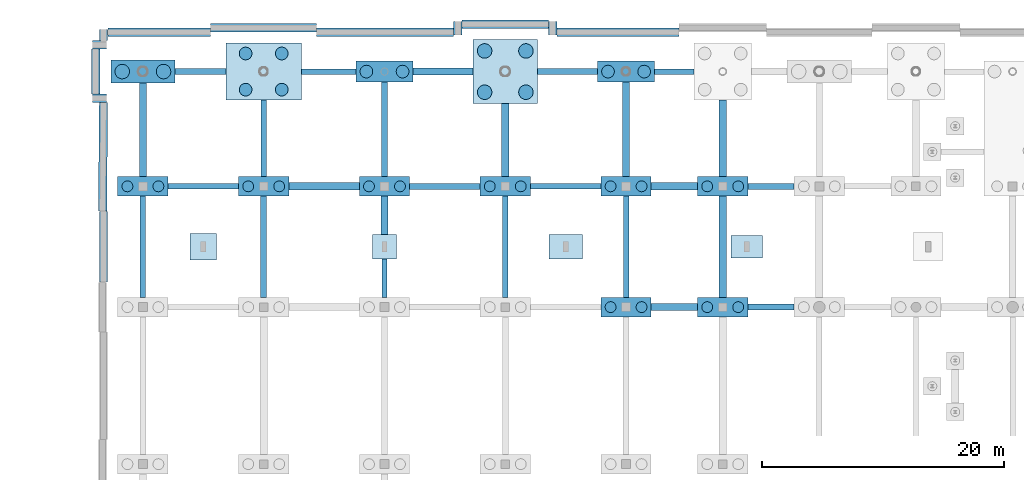
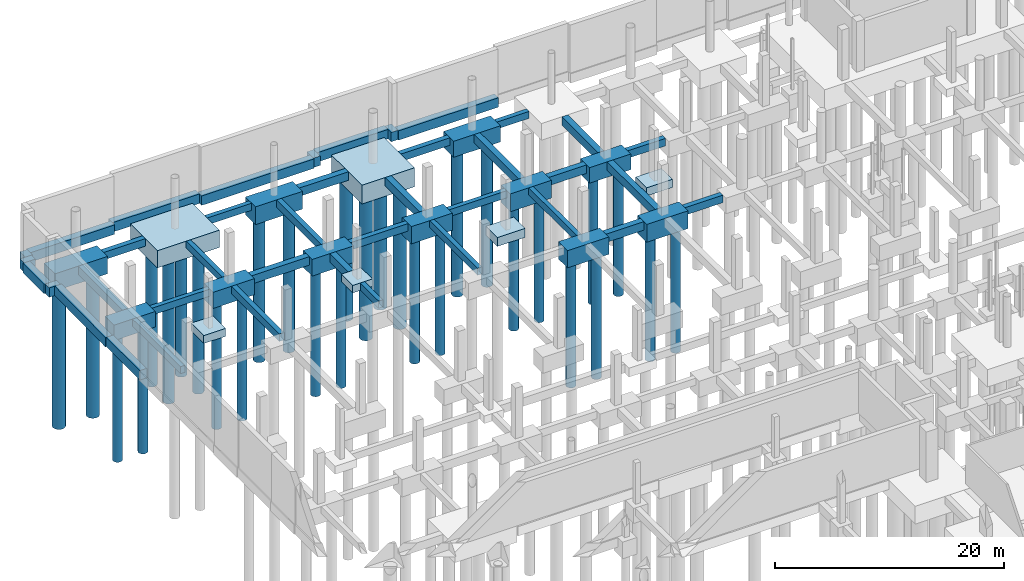
# One storey, part 13 of 65: 56 footings, 30 piles.
"""IFC4 building model written with IfcOpenShell, lengths in metres."""

import ifcopenshell
import ifcopenshell.guid

model = None  # the IFC model being written
_history = None  # IfcOwnerHistory: only IFC2X3 demands one
_inside = {}  # id of a spatial element -> (the spatial element, [elements in it])
_under = {}  # id of a project, library or spatial element -> (it, [spatial elements below it])
_declared = {}  # id of a project -> (the project, [libraries it declares])
_typed = {}  # id of a type object -> (the type object, [elements of that type])
_made_of = {}  # id of a material, layer set ... -> (it, [elements and type objects made of it])


def new_model(schema):
    """Start an empty IFC model of exactly this schema.

    Asked for "IFC4X3", IfcOpenShell would pick the latest addendum, in which some entities
    have other attributes; the version numbers below select the first issue.
    IFC2X3 requires an IfcOwnerHistory on every rooted entity: one is made here for all.
    """
    global model, _history
    if schema == "IFC4X3":
        model = ifcopenshell.file(schema_version=(4, 3, 0, 0))
    else:
        model = ifcopenshell.file(schema=schema)
    _inside.clear()
    _under.clear()
    _declared.clear()
    _typed.clear()
    _made_of.clear()
    _history = None
    if model.schema == "IFC2X3":
        org = make("IfcOrganization", Name="unknown")
        user = make(
            "IfcPersonAndOrganization",
            ThePerson=make("IfcPerson", FamilyName="unknown"),
            TheOrganization=org,
        )
        app = make(
            "IfcApplication",
            ApplicationDeveloper=org,
            Version="unknown",
            ApplicationFullName="unknown",
            ApplicationIdentifier="unknown",
        )
        _history = make(
            "IfcOwnerHistory",
            OwningUser=user,
            OwningApplication=app,
            ChangeAction="ADDED",
            CreationDate=0,
        )
    return model


def make(cls, **values):
    """One entity of the class cls with the attributes given. An attribute that is None is left unset."""
    return model.create_entity(
        cls, **{name: value for name, value in values.items() if value is not None}
    )


def rooted(cls, **values):
    """An entity with a GlobalId (a new one), such as an element, a storey or a relation."""
    return make(cls, GlobalId=ifcopenshell.guid.new(), OwnerHistory=_history, **values)


def si_unit(unit_type, name, prefix=None):
    """IfcSIUnit, for example si_unit("LENGTHUNIT", "METRE", prefix="MILLI")."""
    return make("IfcSIUnit", UnitType=unit_type, Prefix=prefix, Name=name)


def assignment(units):
    """IfcUnitAssignment: the units of a project."""
    return None if units is None else make("IfcUnitAssignment", Units=units)


def point(xyz):
    """IfcCartesianPoint."""
    return None if xyz is None else make("IfcCartesianPoint", Coordinates=xyz)


def direction(xyz):
    """IfcDirection."""
    return None if xyz is None else make("IfcDirection", DirectionRatios=xyz)


def frame(location, z_axis=None, x_axis=None):
    """IfcAxis2Placement3D, a coordinate frame: its origin and axes. An axis left out is left unset."""
    return make(
        "IfcAxis2Placement3D",
        Location=point(location),
        Axis=direction(z_axis),
        RefDirection=direction(x_axis),
    )


def frame_2d(location, x_axis=None):
    """IfcAxis2Placement2D, a coordinate frame in the plane: its origin and x axis."""
    return make(
        "IfcAxis2Placement2D", Location=point(location), RefDirection=direction(x_axis)
    )


def origin():
    """The frame at (0, 0, 0) with its axes left unset."""
    return frame((0.0, 0.0, 0.0))


def origin_2d():
    """The frame at (0, 0) in the plane with its x axis left unset."""
    return frame_2d((0.0, 0.0))


def place(relative_to, where):
    """IfcLocalPlacement: puts the frame where relative to a parent placement (None: the world)."""
    return make(
        "IfcLocalPlacement", PlacementRelTo=relative_to, RelativePlacement=where
    )


def context(
    kind, dimensions, precision=None, world=None, true_north=None, identifier=None
):
    """IfcGeometricRepresentationContext, for example the 3D "Model" context."""
    return make(
        "IfcGeometricRepresentationContext",
        ContextIdentifier=identifier,
        ContextType=kind,
        CoordinateSpaceDimension=dimensions,
        Precision=precision,
        WorldCoordinateSystem=world,
        TrueNorth=true_north,
    )


def subcontext(parent, identifier, kind, view, scale=None):
    """IfcGeometricRepresentationSubContext, for example "Body" below "Model"."""
    return make(
        "IfcGeometricRepresentationSubContext",
        ContextIdentifier=identifier,
        ContextType=kind,
        ParentContext=parent,
        TargetScale=scale,
        TargetView=view,
    )


def project(units=None, contexts=None):
    """IfcProject with its units and contexts."""
    return rooted(
        "IfcProject",
        Name="project",
        RepresentationContexts=contexts,
        UnitsInContext=assignment(units),
    )


def spatial(cls, under=None, at=None, **own):
    """A site, building, storey or space (cls), placed at a placement, below another one or the project."""
    s = rooted(cls, ObjectPlacement=at, **own)
    if under is not None:
        _under.setdefault(under.id(), (under, []))[1].append(s)
    return s


def profile(cls, at=None, kind="AREA", **sizes):
    """A parametric profile (cls). Its sizes go by their IFC names, for example OverallWidth=200.0."""
    return make(cls, ProfileType=kind, Position=at, **sizes)


def rectangle(**sizes):
    """IfcRectangleProfileDef."""
    return profile("IfcRectangleProfileDef", **sizes)


def circle(**sizes):
    """IfcCircleProfileDef."""
    return profile("IfcCircleProfileDef", **sizes)


def extrude(swept, where, along, depth):
    """IfcExtrudedAreaSolid: the profile swept, set in the frame where, extruded along a direction by depth."""
    return make(
        "IfcExtrudedAreaSolid",
        SweptArea=swept,
        Position=where,
        ExtrudedDirection=direction(along),
        Depth=depth,
    )


def shape(context_of_items, identifier, shape_type, items):
    """IfcShapeRepresentation: the items that make up one representation, for example the "Body"."""
    return make(
        "IfcShapeRepresentation",
        ContextOfItems=context_of_items,
        RepresentationIdentifier=identifier,
        RepresentationType=shape_type,
        Items=items,
    )


def material(Name=None, Category=None):
    """IfcMaterial."""
    return make("IfcMaterial", Name=Name, Category=Category)


def material_profile(
    of_material, cross_section, Name=None, Category=None, Priority=None
):
    """IfcMaterialProfile: a cross section and its material."""
    return make(
        "IfcMaterialProfile",
        Name=Name,
        Material=of_material,
        Profile=cross_section,
        Priority=Priority,
        Category=Category,
    )


def profile_set(profiles, Name=None, composite=None):
    """IfcMaterialProfileSet."""
    return make(
        "IfcMaterialProfileSet",
        Name=Name,
        MaterialProfiles=profiles,
        CompositeProfile=composite,
    )


def made_of(thing, what):
    """Note that an element or type object is made of a material, layer set ...; save() writes the relation."""
    if what is not None:
        _made_of.setdefault(what.id(), (what, []))[1].append(thing)
    return thing


def type_object(cls, material=None, **own):
    """A type object (cls), such as IfcWallType, which elements share."""
    return made_of(rooted(cls, **own), material)


def element(
    cls,
    number,
    at=None,
    inside=None,
    cuts=None,
    type_object=None,
    material=None,
    context=None,
    identifier="Body",
    shape_type=None,
    held_by="IfcProductDefinitionShape",
    body=None,
    shapes=None,
    **own,
):
    """One element of the class cls, such as IfcWall. Its Tag is "e" and its number.

    at: its placement. inside: the storey or other place that contains it. cuts: it is an
    opening in that element (IfcRelVoidsElement). A single representation is given by context,
    identifier, shape_type and body (its items); several are given by shapes. held_by: the class
    of the entity that holds the representations. save() writes the other relations.
    """
    e = rooted(cls, Tag="e%d" % number, ObjectPlacement=at, **own)
    if body is not None:
        shapes = [shape(context, identifier, shape_type, body)]
    if shapes is not None:
        e.Representation = make(held_by, Representations=shapes)
    if inside is not None:
        _inside.setdefault(inside.id(), (inside, []))[1].append(e)
    if cuts is not None:
        rooted(
            "IfcRelVoidsElement", RelatingBuildingElement=cuts, RelatedOpeningElement=e
        )
    if type_object is not None:
        _typed.setdefault(type_object.id(), (type_object, []))[1].append(e)
    return made_of(e, material)


def aggregate(whole, parts):
    """IfcRelAggregates: a whole, such as a stair, and the parts it consists of."""
    return rooted("IfcRelAggregates", RelatingObject=whole, RelatedObjects=parts)


def save(model, path):
    """Write the relations noted so far, then the file.

    IfcRelAggregates (storeys below a building ...), IfcRelContainedInSpatialStructure (elements
    in a storey), IfcRelDefinesByType, IfcRelAssociatesMaterial and IfcRelDeclares: one each for
    every whole, place, type object, material and project.
    """
    for whole, parts in _under.values():
        aggregate(whole, parts)
    for where, things in _inside.values():
        rooted(
            "IfcRelContainedInSpatialStructure",
            RelatedElements=things,
            RelatingStructure=where,
        )
    for kind, things in _typed.values():
        rooted("IfcRelDefinesByType", RelatedObjects=things, RelatingType=kind)
    for what, things in _made_of.values():
        rooted("IfcRelAssociatesMaterial", RelatedObjects=things, RelatingMaterial=what)
    for by, libraries in _declared.values():
        rooted("IfcRelDeclares", RelatingContext=by, RelatedDefinitions=libraries)
    model.write(path)


model = new_model("IFC4")

# Units and contexts
model_context = context("Model", 3, precision=1e-05, world=origin(), true_north=direction((0.0, 1.0)))
body_context = subcontext(model_context, "Body", "Model", "MODEL_VIEW")
ifc_project = project(units=[si_unit("LENGTHUNIT", "METRE"), si_unit("AREAUNIT", "SQUARE_METRE"), si_unit("VOLUMEUNIT", "CUBIC_METRE"), si_unit("PLANEANGLEUNIT", "RADIAN"), si_unit("MASSUNIT", "GRAM", prefix="KILO")], contexts=[model_context])

# Site, building, storey
site_placement = place(None, origin())
site = spatial("IfcSite", under=ifc_project, at=site_placement, CompositionType="ELEMENT")
building_placement = place(site_placement, origin())
building = spatial("IfcBuilding", under=site, at=building_placement, Name="Khorjan Park Terminus", CompositionType="ELEMENT")
storey_placement = place(building_placement, frame((0.0, 0.0, -5.4)))
storey = spatial("IfcBuildingStorey", under=building, at=storey_placement, Name="B1", CompositionType="ELEMENT", Elevation=-5.4)

# Footings
ifc_material = material(Name="Concrete C40/50", Category="concrete")
ifc_material_profile_1 = material_profile(ifc_material, rectangle(XDim=0.45, YDim=0.75, at=origin_2d()), Name="RC 450x750")
ifc_profile_set_1 = profile_set([ifc_material_profile_1], Name="Concrete C40/50")
footing_type_1 = type_object("IfcFootingType", Name="FTG-GB-450x750", PredefinedType="FOOTING_BEAM", material=ifc_profile_set_1)
footing_1_placement = place(storey_placement, frame((2.083, 144.5, -0.375), z_axis=(1.0, 0.0, 0.0), x_axis=(0.0, 1.0, 0.0)))
element("IfcFooting", 1, at=footing_1_placement, inside=storey, type_object=footing_type_1, Name="Reinforced concrete ground tie beam FB-07 (152)", PredefinedType="FOOTING_BEAM", context=body_context, shape_type="SweptSolid", body=[
    extrude(rectangle(XDim=0.45, YDim=0.75, at=origin_2d()), origin(), (0.0, 0.0, 1.0), 5.835),
])
footing_2_placement = place(storey_placement, frame((32.083, 144.5, -0.375), z_axis=(1.0, 0.0, 0.0), x_axis=(0.0, 1.0, 0.0)))
element("IfcFooting", 2, at=footing_2_placement, inside=storey, type_object=footing_type_1, Name="Reinforced concrete ground tie beam FB-07 (155)", PredefinedType="FOOTING_BEAM", context=body_context, shape_type="SweptSolid", body=[
    extrude(rectangle(XDim=0.45, YDim=0.75, at=origin_2d()), origin(), (0.0, 0.0, 1.0), 5.834),
])
footing_3_placement = place(storey_placement, frame((13.13, 154.0, -0.375), z_axis=(1.0, 0.0, 0.0), x_axis=(0.0, 1.0, 0.0)))
element("IfcFooting", 3, at=footing_3_placement, inside=storey, type_object=footing_type_1, Name="Reinforced concrete ground tie beam FB-07 (167)", PredefinedType="FOOTING_BEAM", context=body_context, shape_type="SweptSolid", body=[
    extrude(rectangle(XDim=0.45, YDim=0.75, at=origin_2d()), origin(), (0.0, 0.0, 1.0), 4.498),
])
footing_4_placement = place(storey_placement, frame((42.371, 154.0, -0.375), z_axis=(1.0, 0.0, 0.0), x_axis=(0.0, 1.0, 0.0)))
element("IfcFooting", 4, at=footing_4_placement, inside=storey, type_object=footing_type_1, Name="Reinforced concrete ground tie beam FB-07 (170)", PredefinedType="FOOTING_BEAM", context=body_context, shape_type="SweptSolid", body=[
    extrude(rectangle(XDim=0.45, YDim=0.75, at=origin_2d()), origin(), (0.0, 0.0, 1.0), 3.258),
])
footing_5_placement = place(storey_placement, frame((0.0, 135.3, -0.375), z_axis=(0.0, 1.0, 0.0), x_axis=(-1.0, 0.0, 0.0)))
element("IfcFooting", 5, at=footing_5_placement, inside=storey, type_object=footing_type_1, Name="Reinforced concrete ground tie beam FB-07 (185)", PredefinedType="FOOTING_BEAM", context=body_context, shape_type="SweptSolid", body=[
    extrude(rectangle(XDim=0.45, YDim=0.75, at=origin_2d()), origin(), (0.0, 0.0, 1.0), 8.4),
])
footing_6_placement = place(storey_placement, frame((10.0, 145.3, -0.375), z_axis=(0.0, 1.0, 0.0), x_axis=(-1.0, 0.0, 0.0)))
element("IfcFooting", 6, at=footing_6_placement, inside=storey, type_object=footing_type_1, Name="Reinforced concrete ground tie beam FB-07 (194)", PredefinedType="FOOTING_BEAM", context=body_context, shape_type="SweptSolid", body=[
    extrude(rectangle(XDim=0.45, YDim=0.75, at=origin_2d()), origin(), (0.0, 0.0, 1.0), 6.329),
])
footing_7_placement = place(storey_placement, frame((20.0, 135.3, -0.375), z_axis=(0.0, 1.0, 0.0), x_axis=(-1.0, 0.0, 0.0)))
element("IfcFooting", 7, at=footing_7_placement, inside=storey, type_object=footing_type_1, Name="Reinforced concrete ground tie beam FB-07 (200)", PredefinedType="FOOTING_BEAM", context=body_context, shape_type="SweptSolid", body=[
    extrude(rectangle(XDim=0.45, YDim=0.75, at=origin_2d()), origin(), (0.0, 0.0, 1.0), 3.2),
])
for number, where, z_axis, x_axis, name in (
    (8, (30.0, 135.3, -0.375), (0.0, 1.0, 0.0), (-1.0, 0.0, 0.0), "Reinforced concrete ground tie beam FB-07 (209)"),
    (9, (40.0, 135.3, -0.375), (0.0, 1.0, 0.0), (-1.0, 0.0, 0.0), "Reinforced concrete ground tie beam FB-07 (218)"),
):
    element("IfcFooting", number, at=place(storey_placement, frame(where, z_axis=z_axis, x_axis=x_axis)), inside=storey, type_object=footing_type_1, Name=name, PredefinedType="FOOTING_BEAM", context=body_context, shape_type="SweptSolid", body=[
        extrude(rectangle(XDim=0.45, YDim=0.75, at=origin_2d()), origin(), (0.0, 0.0, 1.0), 8.4),
    ])
ifc_material_profile_2 = material_profile(ifc_material, rectangle(XDim=0.5, YDim=0.8, at=origin_2d()), Name="RC 500x800")
ifc_profile_set_2 = profile_set([ifc_material_profile_2], Name="Concrete C40/50")
footing_type_2 = type_object("IfcFootingType", Name="FTG-GB-500x800", PredefinedType="FOOTING_BEAM", material=ifc_profile_set_2)
footing_8_placement = place(storey_placement, frame((50.083, 134.5, -0.4), z_axis=(1.0, 0.0, 0.0), x_axis=(0.0, 1.0, 0.0)))
element("IfcFooting", 10, at=footing_8_placement, inside=storey, type_object=footing_type_2, Name="Reinforced concrete ground tie beam FB-08 (139)", PredefinedType="FOOTING_BEAM", context=body_context, shape_type="SweptSolid", body=[
    extrude(rectangle(XDim=0.5, YDim=0.8, at=origin_2d()), origin(), (0.0, 0.0, 1.0), 3.834),
])
footing_9_placement = place(storey_placement, frame((22.082, 144.5, -0.4), z_axis=(1.0, 0.0, 0.0), x_axis=(0.0, 1.0, 0.0)))
element("IfcFooting", 11, at=footing_9_placement, inside=storey, type_object=footing_type_2, Name="Reinforced concrete ground tie beam FB-08 (154)", PredefinedType="FOOTING_BEAM", context=body_context, shape_type="SweptSolid", body=[
    extrude(rectangle(XDim=0.5, YDim=0.8, at=origin_2d()), origin(), (0.0, 0.0, 1.0), 5.836),
])
footing_10_placement = place(storey_placement, frame((50.083, 144.5, -0.4), z_axis=(1.0, 0.0, 0.0), x_axis=(0.0, 1.0, 0.0)))
element("IfcFooting", 12, at=footing_10_placement, inside=storey, type_object=footing_type_2, Name="Reinforced concrete ground tie beam FB-08 (157)", PredefinedType="FOOTING_BEAM", context=body_context, shape_type="SweptSolid", body=[
    extrude(rectangle(XDim=0.5, YDim=0.8, at=origin_2d()), origin(), (0.0, 0.0, 1.0), 3.834),
])
footing_11_placement = place(storey_placement, frame((2.66, 154.0, -0.4), z_axis=(1.0, 0.0, 0.0), x_axis=(0.0, 1.0, 0.0)))
element("IfcFooting", 13, at=footing_11_placement, inside=storey, type_object=footing_type_2, Name="Reinforced concrete ground tie beam FB-08 (166)", PredefinedType="FOOTING_BEAM", context=body_context, shape_type="SweptSolid", body=[
    extrude(rectangle(XDim=0.5, YDim=0.8, at=origin_2d()), origin(), (0.0, 0.0, 1.0), 4.21),
])
footing_12_placement = place(storey_placement, frame((32.66, 154.0, -0.4), z_axis=(1.0, 0.0, 0.0), x_axis=(0.0, 1.0, 0.0)))
element("IfcFooting", 14, at=footing_12_placement, inside=storey, type_object=footing_type_2, Name="Reinforced concrete ground tie beam FB-08 (169)", PredefinedType="FOOTING_BEAM", context=body_context, shape_type="SweptSolid", body=[
    extrude(rectangle(XDim=0.5, YDim=0.8, at=origin_2d()), origin(), (0.0, 0.0, 1.0), 4.969),
])
footing_13_placement = place(storey_placement, frame((10.0, 135.3, -0.4), z_axis=(0.0, 1.0, 0.0), x_axis=(-1.0, 0.0, 0.0)))
element("IfcFooting", 15, at=footing_13_placement, inside=storey, type_object=footing_type_2, Name="Reinforced concrete ground tie beam FB-08 (193)", PredefinedType="FOOTING_BEAM", context=body_context, shape_type="SweptSolid", body=[
    extrude(rectangle(XDim=0.5, YDim=0.8, at=origin_2d()), origin(), (0.0, 0.0, 1.0), 8.4),
])
footing_14_placement = place(storey_placement, frame((20.0, 145.3, -0.4), z_axis=(0.0, 1.0, 0.0), x_axis=(-1.0, 0.0, 0.0)))
element("IfcFooting", 16, at=footing_14_placement, inside=storey, type_object=footing_type_2, Name="Reinforced concrete ground tie beam FB-08 (202)", PredefinedType="FOOTING_BEAM", context=body_context, shape_type="SweptSolid", body=[
    extrude(rectangle(XDim=0.5, YDim=0.8, at=origin_2d()), origin(), (0.0, 0.0, 1.0), 7.825),
])
ifc_material_profile_3 = material_profile(ifc_material, rectangle(XDim=0.6, YDim=0.9, at=origin_2d()), Name="RC 600x900")
ifc_profile_set_3 = profile_set([ifc_material_profile_3], Name="Concrete C40/50")
footing_type_3 = type_object("IfcFootingType", Name="FTG-GB-600x900", PredefinedType="FOOTING_BEAM", material=ifc_profile_set_3)
footing_15_placement = place(storey_placement, frame((42.083, 134.5, -0.45), z_axis=(1.0, 0.0, 0.0), x_axis=(0.0, 1.0, 0.0)))
element("IfcFooting", 17, at=footing_15_placement, inside=storey, type_object=footing_type_3, Name="Reinforced concrete ground tie beam FB-09 (138)", PredefinedType="FOOTING_BEAM", context=body_context, shape_type="SweptSolid", body=[
    extrude(rectangle(XDim=0.6, YDim=0.9, at=origin_2d()), origin(), (0.0, 0.0, 1.0), 3.834),
])
footing_16_placement = place(storey_placement, frame((12.082, 144.5, -0.45), z_axis=(1.0, 0.0, 0.0), x_axis=(0.0, 1.0, 0.0)))
element("IfcFooting", 18, at=footing_16_placement, inside=storey, type_object=footing_type_3, Name="Reinforced concrete ground tie beam FB-09 (153)", PredefinedType="FOOTING_BEAM", context=body_context, shape_type="SweptSolid", body=[
    extrude(rectangle(XDim=0.6, YDim=0.9, at=origin_2d()), origin(), (0.0, 0.0, 1.0), 5.836),
])
footing_17_placement = place(storey_placement, frame((42.083, 144.5, -0.45), z_axis=(1.0, 0.0, 0.0), x_axis=(0.0, 1.0, 0.0)))
element("IfcFooting", 19, at=footing_17_placement, inside=storey, type_object=footing_type_3, Name="Reinforced concrete ground tie beam FB-09 (156)", PredefinedType="FOOTING_BEAM", context=body_context, shape_type="SweptSolid", body=[
    extrude(rectangle(XDim=0.6, YDim=0.9, at=origin_2d()), origin(), (0.0, 0.0, 1.0), 3.834),
])
footing_18_placement = place(storey_placement, frame((22.372, 154.0, -0.45), z_axis=(1.0, 0.0, 0.0), x_axis=(0.0, 1.0, 0.0)))
element("IfcFooting", 20, at=footing_18_placement, inside=storey, type_object=footing_type_3, Name="Reinforced concrete ground tie beam FB-09 (168)", PredefinedType="FOOTING_BEAM", context=body_context, shape_type="SweptSolid", body=[
    extrude(rectangle(XDim=0.6, YDim=0.9, at=origin_2d()), origin(), (0.0, 0.0, 1.0), 4.968),
])
footing_19_placement = place(storey_placement, frame((0.0, 145.3, -0.45), z_axis=(0.0, 1.0, 0.0), x_axis=(-1.0, 0.0, 0.0)))
element("IfcFooting", 21, at=footing_19_placement, inside=storey, type_object=footing_type_3, Name="Reinforced concrete ground tie beam FB-09 (186)", PredefinedType="FOOTING_BEAM", context=body_context, shape_type="SweptSolid", body=[
    extrude(rectangle(XDim=0.6, YDim=0.9, at=origin_2d()), origin(), (0.0, 0.0, 1.0), 7.75),
])
footing_20_placement = place(storey_placement, frame((20.0, 140.5, -0.45), z_axis=(0.0, 1.0, 0.0), x_axis=(-1.0, 0.0, 0.0)))
element("IfcFooting", 22, at=footing_20_placement, inside=storey, type_object=footing_type_3, Name="Reinforced concrete ground tie beam FB-09 (201)", PredefinedType="FOOTING_BEAM", context=body_context, shape_type="SweptSolid", body=[
    extrude(rectangle(XDim=0.6, YDim=0.9, at=origin_2d()), origin(), (0.0, 0.0, 1.0), 3.2),
])
footing_21_placement = place(storey_placement, frame((30.0, 145.3, -0.45), z_axis=(0.0, 1.0, 0.0), x_axis=(-1.0, 0.0, 0.0)))
element("IfcFooting", 23, at=footing_21_placement, inside=storey, type_object=footing_type_3, Name="Reinforced concrete ground tie beam FB-09 (210)", PredefinedType="FOOTING_BEAM", context=body_context, shape_type="SweptSolid", body=[
    extrude(rectangle(XDim=0.6, YDim=0.9, at=origin_2d()), origin(), (0.0, 0.0, 1.0), 6.04),
])
footing_22_placement = place(storey_placement, frame((40.0, 145.3, -0.45), z_axis=(0.0, 1.0, 0.0), x_axis=(-1.0, 0.0, 0.0)))
element("IfcFooting", 24, at=footing_22_placement, inside=storey, type_object=footing_type_3, Name="Reinforced concrete ground tie beam FB-09 (219)", PredefinedType="FOOTING_BEAM", context=body_context, shape_type="SweptSolid", body=[
    extrude(rectangle(XDim=0.6, YDim=0.9, at=origin_2d()), origin(), (0.0, 0.0, 1.0), 7.825),
])
footing_23_placement = place(storey_placement, frame((48.0, 135.3, -0.45), z_axis=(0.0, 1.0, 0.0), x_axis=(-1.0, 0.0, 0.0)))
element("IfcFooting", 25, at=footing_23_placement, inside=storey, type_object=footing_type_3, Name="Reinforced concrete ground tie beam FB-09 (233)", PredefinedType="FOOTING_BEAM", context=body_context, shape_type="SweptSolid", body=[
    extrude(rectangle(XDim=0.6, YDim=0.9, at=origin_2d()), origin(), (0.0, 0.0, 1.0), 8.4),
])
footing_24_placement = place(storey_placement, frame((48.0, 145.3, -0.45), z_axis=(0.0, 1.0, 0.0), x_axis=(-1.0, 0.0, 0.0)))
element("IfcFooting", 26, at=footing_24_placement, inside=storey, type_object=footing_type_3, Name="Reinforced concrete ground tie beam FB-09 (234)", PredefinedType="FOOTING_BEAM", context=body_context, shape_type="SweptSolid", body=[
    extrude(rectangle(XDim=0.6, YDim=0.9, at=origin_2d()), origin(), (0.0, 0.0, 1.0), 6.329),
])
footing_type_4 = type_object("IfcFootingType", Name="FTG-PAD-2000", PredefinedType="PAD_FOOTING", material=ifc_material)
footing_25_placement = place(storey_placement, frame((20.0, 139.5, -0.8), z_axis=(0.0, 0.0, 1.0), x_axis=(1.0, 0.0, 0.0)))
element("IfcFooting", 27, at=footing_25_placement, inside=storey, type_object=footing_type_4, Name="Reinforced concrete pad footing PF-20 (12)", PredefinedType="PAD_FOOTING", context=body_context, shape_type="SweptSolid", body=[
    extrude(rectangle(XDim=2.0, YDim=2.0, at=origin_2d()), origin(), (0.0, 0.0, 1.0), 0.8),
])
footing_type_5 = type_object("IfcFootingType", Name="FTG-PAD-2200", PredefinedType="PAD_FOOTING", material=ifc_material)
footing_26_placement = place(storey_placement, frame((5.0, 139.5, -0.85), z_axis=(0.0, 0.0, 1.0), x_axis=(1.0, 0.0, 0.0)))
element("IfcFooting", 28, at=footing_26_placement, inside=storey, type_object=footing_type_5, Name="Reinforced concrete pad footing PF-22 (11)", PredefinedType="PAD_FOOTING", context=body_context, shape_type="SweptSolid", body=[
    extrude(rectangle(XDim=2.2, YDim=2.2, at=origin_2d()), origin(), (0.0, 0.0, 1.0), 0.85),
])
footing_type_6 = type_object("IfcFootingType", Name="FTG-PAD-2600x1900", PredefinedType="PAD_FOOTING", material=ifc_material)
footing_27_placement = place(storey_placement, frame((50.0, 139.5, -0.88), z_axis=(0.0, 0.0, 1.0), x_axis=(1.0, 0.0, 0.0)))
element("IfcFooting", 29, at=footing_27_placement, inside=storey, type_object=footing_type_6, Name="Reinforced concrete pad footing PF-26 (14)", PredefinedType="PAD_FOOTING", context=body_context, shape_type="SweptSolid", body=[
    extrude(rectangle(XDim=2.6, YDim=1.9, at=origin_2d()), origin(), (0.0, 0.0, 1.0), 0.88),
])
footing_type_7 = type_object("IfcFootingType", Name="FTG-PAD-2800x2000", PredefinedType="PAD_FOOTING", material=ifc_material)
footing_28_placement = place(storey_placement, frame((35.0, 139.5, -0.95), z_axis=(0.0, 0.0, 1.0), x_axis=(1.0, 0.0, 0.0)))
element("IfcFooting", 30, at=footing_28_placement, inside=storey, type_object=footing_type_7, Name="Reinforced concrete pad footing PF-28 (13)", PredefinedType="PAD_FOOTING", context=body_context, shape_type="SweptSolid", body=[
    extrude(rectangle(XDim=2.8, YDim=2.0, at=origin_2d()), origin(), (0.0, 0.0, 1.0), 0.95),
])
footing_type_8 = type_object("IfcFootingType", Name="FTG-PC-02", PredefinedType="PILE_CAP", material=ifc_material)
for number, where, z_axis, x_axis, name in (
    (31, (40.0, 144.5, -1.9), (0.0, 0.0, 1.0), (1.0, 0.0, 0.0), "Reinforced concrete pile cap PC-02 (59)"),
    (32, (48.0, 134.5, -1.9), (0.0, 0.0, 1.0), (1.0, 0.0, 0.0), "Reinforced concrete pile cap PC-02 (76)"),
):
    element("IfcFooting", number, at=place(storey_placement, frame(where, z_axis=z_axis, x_axis=x_axis)), inside=storey, type_object=footing_type_8, Name=name, PredefinedType="PILE_CAP", context=body_context, shape_type="SweptSolid", body=[
        extrude(rectangle(XDim=4.166, YDim=1.6, at=origin_2d()), origin(), (0.0, 0.0, 1.0), 1.9),
    ])
footing_type_9 = type_object("IfcFootingType", Name="FTG-PC-04", PredefinedType="PILE_CAP", material=ifc_material)
footing_29_placement = place(storey_placement, frame((0.0, 154.0, -1.84), z_axis=(0.0, 0.0, 1.0), x_axis=(1.0, 0.0, 0.0)))
element("IfcFooting", 33, at=footing_29_placement, inside=storey, type_object=footing_type_9, Name="Reinforced concrete pile cap PC-04 (4)", PredefinedType="PILE_CAP", context=body_context, shape_type="SweptSolid", body=[
    extrude(rectangle(XDim=5.32, YDim=1.9, at=origin_2d()), origin(), (0.0, 0.0, 1.0), 1.84),
])
footing_type_10 = type_object("IfcFootingType", Name="FTG-PC-06", PredefinedType="PILE_CAP", material=ifc_material)
footing_30_placement = place(storey_placement, frame((30.0005, 144.5, -1.84), z_axis=(0.0, 0.0, 1.0), x_axis=(1.0, 0.0, 0.0)))
element("IfcFooting", 34, at=footing_30_placement, inside=storey, type_object=footing_type_10, Name="Reinforced concrete pile cap PC-06 (47)", PredefinedType="PILE_CAP", context=body_context, shape_type="SweptSolid", body=[
    extrude(rectangle(XDim=4.165, YDim=1.6, at=origin_2d()), origin(), (0.0, 0.0, 1.0), 1.84),
])
footing_31_placement = place(storey_placement, frame((40.0, 134.5, -1.84), z_axis=(0.0, 0.0, 1.0), x_axis=(1.0, 0.0, 0.0)))
element("IfcFooting", 35, at=footing_31_placement, inside=storey, type_object=footing_type_10, Name="Reinforced concrete pile cap PC-06 (58)", PredefinedType="PILE_CAP", context=body_context, shape_type="SweptSolid", body=[
    extrude(rectangle(XDim=4.166, YDim=1.6, at=origin_2d()), origin(), (0.0, 0.0, 1.0), 1.84),
])
footing_type_11 = type_object("IfcFootingType", Name="FTG-PC-07", PredefinedType="PILE_CAP", material=ifc_material)
for number, where, z_axis, x_axis, name in (
    (36, (0.0, 144.5, -1.66), (0.0, 0.0, 1.0), (1.0, 0.0, 0.0), "Reinforced concrete pile cap PC-07 (8)"),
    (37, (48.0, 144.5, -1.66), (0.0, 0.0, 1.0), (1.0, 0.0, 0.0), "Reinforced concrete pile cap PC-07 (77)"),
):
    element("IfcFooting", number, at=place(storey_placement, frame(where, z_axis=z_axis, x_axis=x_axis)), inside=storey, type_object=footing_type_11, Name=name, PredefinedType="PILE_CAP", context=body_context, shape_type="SweptSolid", body=[
        extrude(rectangle(XDim=4.166, YDim=1.6, at=origin_2d()), origin(), (0.0, 0.0, 1.0), 1.66),
    ])
footing_type_12 = type_object("IfcFootingType", Name="FTG-PC-10", PredefinedType="PILE_CAP", material=ifc_material)
footing_32_placement = place(storey_placement, frame((10.0, 154.0, -1.84), z_axis=(0.0, 0.0, 1.0), x_axis=(1.0, 0.0, 0.0)))
element("IfcFooting", 38, at=footing_32_placement, inside=storey, type_object=footing_type_12, Name="Reinforced concrete pile cap PC-10 (13)", PredefinedType="PILE_CAP", context=body_context, shape_type="SweptSolid", body=[
    extrude(rectangle(XDim=6.26, YDim=4.742, at=origin_2d()), origin(), (0.0, 0.0, 1.0), 1.84),
])
footing_type_13 = type_object("IfcFootingType", Name="FTG-PC-14", PredefinedType="PILE_CAP", material=ifc_material)
footing_33_placement = place(storey_placement, frame((10.0, 144.5, -1.72), z_axis=(0.0, 0.0, 1.0), x_axis=(1.0, 0.0, 0.0)))
element("IfcFooting", 39, at=footing_33_placement, inside=storey, type_object=footing_type_13, Name="Reinforced concrete pile cap PC-14 (17)", PredefinedType="PILE_CAP", context=body_context, shape_type="SweptSolid", body=[
    extrude(rectangle(XDim=4.164, YDim=1.6, at=origin_2d()), origin(), (0.0, 0.0, 1.0), 1.72),
])
footing_type_14 = type_object("IfcFootingType", Name="FTG-PC-18", PredefinedType="PILE_CAP", material=ifc_material)
footing_34_placement = place(storey_placement, frame((20.0, 144.5, -1.78), z_axis=(0.0, 0.0, 1.0), x_axis=(1.0, 0.0, 0.0)))
element("IfcFooting", 40, at=footing_34_placement, inside=storey, type_object=footing_type_14, Name="Reinforced concrete pile cap PC-18 (31)", PredefinedType="PILE_CAP", context=body_context, shape_type="SweptSolid", body=[
    extrude(rectangle(XDim=4.164, YDim=1.6, at=origin_2d()), origin(), (0.0, 0.0, 1.0), 1.78),
])
footing_type_15 = type_object("IfcFootingType", Name="FTG-PC-20", PredefinedType="PILE_CAP", material=ifc_material)
footing_35_placement = place(storey_placement, frame((20.0, 154.0, -1.9), z_axis=(0.0, 0.0, 1.0), x_axis=(1.0, 0.0, 0.0)))
element("IfcFooting", 41, at=footing_35_placement, inside=storey, type_object=footing_type_15, Name="Reinforced concrete pile cap PC-20 (27)", PredefinedType="PILE_CAP", context=body_context, shape_type="SweptSolid", body=[
    extrude(rectangle(XDim=4.744, YDim=1.75, at=origin_2d()), origin(), (0.0, 0.0, 1.0), 1.9),
])
footing_type_16 = type_object("IfcFootingType", Name="FTG-PC-24", PredefinedType="PILE_CAP", material=ifc_material)
footing_36_placement = place(storey_placement, frame((30.0, 154.0, -2.02), z_axis=(0.0, 0.0, 1.0), x_axis=(1.0, 0.0, 0.0)))
element("IfcFooting", 42, at=footing_36_placement, inside=storey, type_object=footing_type_16, Name="Reinforced concrete pile cap PC-24 (43)", PredefinedType="PILE_CAP", context=body_context, shape_type="SweptSolid", body=[
    extrude(rectangle(XDim=5.32, YDim=5.32, at=origin_2d()), origin(), (0.0, 0.0, 1.0), 2.02),
])
footing_type_17 = type_object("IfcFootingType", Name="FTG-PC-26", PredefinedType="PILE_CAP", material=ifc_material)
footing_37_placement = place(storey_placement, frame((40.0, 154.0, -1.72), z_axis=(0.0, 0.0, 1.0), x_axis=(1.0, 0.0, 0.0)))
element("IfcFooting", 43, at=footing_37_placement, inside=storey, type_object=footing_type_17, Name="Reinforced concrete pile cap PC-26 (55)", PredefinedType="PILE_CAP", context=body_context, shape_type="SweptSolid", body=[
    extrude(rectangle(XDim=4.742, YDim=1.75, at=origin_2d()), origin(), (0.0, 0.0, 1.0), 1.72),
])
ifc_material_profile_4 = material_profile(ifc_material, rectangle(XDim=0.7, YDim=1.0, at=origin_2d()), Name="RC 700x1000")
ifc_profile_set_4 = profile_set([ifc_material_profile_4], Name="Concrete C40/50")
footing_type_18 = type_object("IfcFootingType", Name="FTG-SF-700x1000", PredefinedType="STRIP_FOOTING", material=ifc_profile_set_4)
footing_38_placement = place(storey_placement, frame((-4.16, 156.21, -0.5), z_axis=(1.0, 0.0, 0.0), x_axis=(0.0, 1.0, 0.0)))
element("IfcFooting", 44, at=footing_38_placement, inside=storey, type_object=footing_type_18, Name="Reinforced concrete wall strip footing SF-07 (31)", PredefinedType="STRIP_FOOTING", context=body_context, shape_type="SweptSolid", body=[
    extrude(rectangle(XDim=0.7, YDim=1.0, at=origin_2d()), origin(), (0.0, 0.0, 1.0), 1.14),
])
footing_39_placement = place(storey_placement, frame((-3.0157, 151.79, -0.5), z_axis=(-1.0, 0.0, 0.0), x_axis=(0.0, -1.0, 0.0)))
element("IfcFooting", 45, at=footing_39_placement, inside=storey, type_object=footing_type_18, Name="Reinforced concrete wall strip footing SF-07 (32)", PredefinedType="STRIP_FOOTING", context=body_context, shape_type="SweptSolid", body=[
    extrude(rectangle(XDim=0.7, YDim=1.0, at=origin_2d()), origin(), (0.0, 0.0, 1.0), 1.1443),
])
footing_40_placement = place(storey_placement, frame((-3.26, 156.563, -0.5), z_axis=(0.0, 1.0, 0.0), x_axis=(-1.0, 0.0, 0.0)))
element("IfcFooting", 46, at=footing_40_placement, inside=storey, type_object=footing_type_18, Name="Reinforced concrete wall strip footing SF-07 (35)", PredefinedType="STRIP_FOOTING", context=body_context, shape_type="SweptSolid", body=[
    extrude(rectangle(XDim=0.7, YDim=1.0, at=origin_2d()), origin(), (0.0, 0.0, 1.0), 0.937),
])
for number, where, z_axis, x_axis, name in (
    (47, (26.08, 157.02, -0.5), (0.0, 1.0, 0.0), (-1.0, 0.0, 0.0), "Reinforced concrete wall strip footing SF-07 (36)"),
    (48, (33.92, 158.16, -0.5), (0.0, -1.0, 0.0), (1.0, 0.0, 0.0), "Reinforced concrete wall strip footing SF-07 (37)"),
):
    element("IfcFooting", number, at=place(storey_placement, frame(where, z_axis=z_axis, x_axis=x_axis)), inside=storey, type_object=footing_type_18, Name=name, PredefinedType="STRIP_FOOTING", context=body_context, shape_type="SweptSolid", body=[
        extrude(rectangle(XDim=0.7, YDim=1.0, at=origin_2d()), origin(), (0.0, 0.0, 1.0), 1.14),
    ])
footing_41_placement = place(storey_placement, frame((14.39, 157.26, -0.5), z_axis=(1.0, 0.0, 0.0), x_axis=(0.0, 1.0, 0.0)))
element("IfcFooting", 49, at=footing_41_placement, inside=storey, type_object=footing_type_18, Name="Reinforced concrete wall strip footing SF-07 (57)", PredefinedType="STRIP_FOOTING", context=body_context, shape_type="SweptSolid", body=[
    extrude(rectangle(XDim=0.7, YDim=1.0, at=origin_2d()), origin(), (0.0, 0.0, 1.0), 11.337),
])
footing_42_placement = place(storey_placement, frame((34.273, 157.26, -0.5), z_axis=(1.0, 0.0, 0.0), x_axis=(0.0, 1.0, 0.0)))
element("IfcFooting", 50, at=footing_42_placement, inside=storey, type_object=footing_type_18, Name="Reinforced concrete wall strip footing SF-07 (62)", PredefinedType="STRIP_FOOTING", context=body_context, shape_type="SweptSolid", body=[
    extrude(rectangle(XDim=0.7, YDim=1.0, at=origin_2d()), origin(), (0.0, 0.0, 1.0), 10.096),
])
footing_43_placement = place(storey_placement, frame((-3.3409, 142.44, -0.5), z_axis=(0.008883448477, 0.999960541393, 0.0), x_axis=(-0.999960541393, 0.008883448477, 0.0)))
element("IfcFooting", 51, at=footing_43_placement, inside=storey, type_object=footing_type_18, Name="Reinforced concrete wall strip footing SF-07 (65)", PredefinedType="STRIP_FOOTING", context=body_context, shape_type="SweptSolid", body=[
    extrude(rectangle(XDim=0.7, YDim=1.0, at=origin_2d()), origin(), (0.0, 0.0, 1.0), 8.9943),
])
footing_44_placement = place(storey_placement, frame((5.61, 157.631, -0.5), z_axis=(1.0, 0.0, 0.0), x_axis=(0.0, 1.0, 0.0)))
element("IfcFooting", 52, at=footing_44_placement, inside=storey, type_object=footing_type_18, Name="Reinforced concrete wall strip footing SF-07 (67)", PredefinedType="STRIP_FOOTING", context=body_context, shape_type="SweptSolid", body=[
    extrude(rectangle(XDim=0.7, YDim=1.0, at=origin_2d()), origin(), (0.0, 0.0, 1.0), 8.777),
])
footing_45_placement = place(storey_placement, frame((-2.907, 157.26, -0.5), z_axis=(1.0, 0.0, 0.0), x_axis=(0.0, 1.0, 0.0)))
element("IfcFooting", 53, at=footing_45_placement, inside=storey, type_object=footing_type_18, Name="Reinforced concrete wall strip footing SF-07 (70)", PredefinedType="STRIP_FOOTING", context=body_context, shape_type="SweptSolid", body=[
    extrude(rectangle(XDim=0.7, YDim=1.0, at=origin_2d()), origin(), (0.0, 0.0, 1.0), 8.514),
])
footing_46_placement = place(storey_placement, frame((26.433, 157.92, -0.5), z_axis=(1.0, 0.0, 0.0), x_axis=(0.0, 1.0, 0.0)))
element("IfcFooting", 54, at=footing_46_placement, inside=storey, type_object=footing_type_18, Name="Reinforced concrete wall strip footing SF-07 (71)", PredefinedType="STRIP_FOOTING", context=body_context, shape_type="SweptSolid", body=[
    extrude(rectangle(XDim=0.7, YDim=1.0, at=origin_2d()), origin(), (0.0, 0.0, 1.0), 7.134),
])
footing_47_placement = place(storey_placement, frame((-3.26, 136.56, -0.5), z_axis=(0.0, 1.0, 0.0), x_axis=(-1.0, 0.0, 0.0)))
element("IfcFooting", 55, at=footing_47_placement, inside=storey, type_object=footing_type_18, Name="Reinforced concrete wall strip footing SF-07 (81)", PredefinedType="STRIP_FOOTING", context=body_context, shape_type="SweptSolid", body=[
    extrude(rectangle(XDim=0.7, YDim=1.0, at=origin_2d()), origin(), (0.0, 0.0, 1.0), 5.8739),
])
footing_48_placement = place(storey_placement, frame((-3.92, 152.143, -0.5), z_axis=(0.0, 1.0, 0.0), x_axis=(-1.0, 0.0, 0.0)))
element("IfcFooting", 56, at=footing_48_placement, inside=storey, type_object=footing_type_18, Name="Reinforced concrete wall strip footing SF-07 (88)", PredefinedType="STRIP_FOOTING", context=body_context, shape_type="SweptSolid", body=[
    extrude(rectangle(XDim=0.7, YDim=1.0, at=origin_2d()), origin(), (0.0, 0.0, 1.0), 3.714),
])

# Piles
ifc_material_profile_5 = material_profile(ifc_material, circle(Radius=0.525, at=origin_2d()), Name="BORED D1050")
ifc_profile_set_5 = profile_set([ifc_material_profile_5], Name="Concrete C40/50")
pile_type_1 = type_object("IfcPileType", Name="PL-D1050", PredefinedType="BORED", material=ifc_profile_set_5)
for number, where, z_axis, x_axis, name in (
    (57, (8.5035, 152.5035, -1.74), (0.0, 0.0, -1.0), (1.0, 0.0, 0.0), "Bored rock-socketed pile PL-105 (39)"),
    (58, (8.5035, 155.4965, -1.74), (0.0, 0.0, -1.0), (1.0, 0.0, 0.0), "Bored rock-socketed pile PL-105 (40)"),
    (59, (11.4965, 152.5035, -1.74), (0.0, 0.0, -1.0), (1.0, 0.0, 0.0), "Bored rock-socketed pile PL-105 (41)"),
    (60, (11.4965, 155.4965, -1.74), (0.0, 0.0, -1.0), (1.0, 0.0, 0.0), "Bored rock-socketed pile PL-105 (42)"),
):
    element("IfcPile", number, at=place(storey_placement, frame(where, z_axis=z_axis, x_axis=x_axis)), inside=storey, type_object=pile_type_1, Name=name, PredefinedType="BORED", context=body_context, shape_type="SweptSolid", body=[
        extrude(circle(Radius=0.525, at=origin_2d()), origin(), (0.0, 0.0, 1.0), 15.36),
    ])
for number, where, z_axis, x_axis, name in (
    (61, (18.5035, 154.0, -1.8), (0.0, 0.0, -1.0), (1.0, 0.0, 0.0), "Bored rock-socketed pile PL-105 (66)"),
    (62, (21.4965, 154.0, -1.8), (0.0, 0.0, -1.0), (1.0, 0.0, 0.0), "Bored rock-socketed pile PL-105 (67)"),
):
    element("IfcPile", number, at=place(storey_placement, frame(where, z_axis=z_axis, x_axis=x_axis)), inside=storey, type_object=pile_type_1, Name=name, PredefinedType="BORED", context=body_context, shape_type="SweptSolid", body=[
        extrude(circle(Radius=0.525, at=origin_2d()), origin(), (0.0, 0.0, 1.0), 15.3),
    ])
for number, where, z_axis, x_axis, name in (
    (63, (38.5035, 154.0, -1.62), (0.0, 0.0, -1.0), (1.0, 0.0, 0.0), "Bored rock-socketed pile PL-105 (118)"),
    (64, (41.4965, 154.0, -1.62), (0.0, 0.0, -1.0), (1.0, 0.0, 0.0), "Bored rock-socketed pile PL-105 (119)"),
):
    element("IfcPile", number, at=place(storey_placement, frame(where, z_axis=z_axis, x_axis=x_axis)), inside=storey, type_object=pile_type_1, Name=name, PredefinedType="BORED", context=body_context, shape_type="SweptSolid", body=[
        extrude(circle(Radius=0.525, at=origin_2d()), origin(), (0.0, 0.0, 1.0), 15.48),
    ])
ifc_material_profile_6 = material_profile(ifc_material, circle(Radius=0.6, at=origin_2d()), Name="BORED D1200")
ifc_profile_set_6 = profile_set([ifc_material_profile_6], Name="Concrete C40/50")
pile_type_2 = type_object("IfcPileType", Name="PL-D1200", PredefinedType="BORED", material=ifc_profile_set_6)
for number, where, z_axis, x_axis, name in (
    (65, (-1.71, 154.0, -1.74), (0.0, 0.0, -1.0), (1.0, 0.0, 0.0), "Bored rock-socketed pile PL-120 (19)"),
    (66, (1.71, 154.0, -1.74), (0.0, 0.0, -1.0), (1.0, 0.0, 0.0), "Bored rock-socketed pile PL-120 (20)"),
):
    element("IfcPile", number, at=place(storey_placement, frame(where, z_axis=z_axis, x_axis=x_axis)), inside=storey, type_object=pile_type_2, Name=name, PredefinedType="BORED", context=body_context, shape_type="SweptSolid", body=[
        extrude(circle(Radius=0.6, at=origin_2d()), origin(), (0.0, 0.0, 1.0), 15.36),
    ])
for number, where, z_axis, x_axis, name in (
    (67, (28.29, 152.29, -1.92), (0.0, 0.0, -1.0), (1.0, 0.0, 0.0), "Bored rock-socketed pile PL-120 (95)"),
    (68, (28.29, 155.71, -1.92), (0.0, 0.0, -1.0), (1.0, 0.0, 0.0), "Bored rock-socketed pile PL-120 (96)"),
    (69, (31.71, 152.29, -1.92), (0.0, 0.0, -1.0), (1.0, 0.0, 0.0), "Bored rock-socketed pile PL-120 (97)"),
    (70, (31.71, 155.71, -1.92), (0.0, 0.0, -1.0), (1.0, 0.0, 0.0), "Bored rock-socketed pile PL-120 (98)"),
):
    element("IfcPile", number, at=place(storey_placement, frame(where, z_axis=z_axis, x_axis=x_axis)), inside=storey, type_object=pile_type_2, Name=name, PredefinedType="BORED", context=body_context, shape_type="SweptSolid", body=[
        extrude(circle(Radius=0.6, at=origin_2d()), origin(), (0.0, 0.0, 1.0), 15.18),
    ])
ifc_material_profile_7 = material_profile(ifc_material, circle(Radius=0.45, at=origin_2d()), Name="BORED D900")
ifc_profile_set_7 = profile_set([ifc_material_profile_7], Name="Concrete C40/50")
pile_type_3 = type_object("IfcPileType", Name="PL-D900", PredefinedType="BORED", material=ifc_profile_set_7)
for number, where, z_axis, x_axis, name in (
    (71, (-1.2825, 144.5, -1.56), (0.0, 0.0, -1.0), (1.0, 0.0, 0.0), "Bored rock-socketed pile PL-90 (27)"),
    (72, (1.2825, 144.5, -1.56), (0.0, 0.0, -1.0), (1.0, 0.0, 0.0), "Bored rock-socketed pile PL-90 (28)"),
):
    element("IfcPile", number, at=place(storey_placement, frame(where, z_axis=z_axis, x_axis=x_axis)), inside=storey, type_object=pile_type_3, Name=name, PredefinedType="BORED", context=body_context, shape_type="SweptSolid", body=[
        extrude(circle(Radius=0.45, at=origin_2d()), origin(), (0.0, 0.0, 1.0), 13.54),
    ])
for number, where, z_axis, x_axis, name in (
    (73, (8.7175, 144.5, -1.62), (0.0, 0.0, -1.0), (1.0, 0.0, 0.0), "Bored rock-socketed pile PL-90 (49)"),
    (74, (11.2825, 144.5, -1.62), (0.0, 0.0, -1.0), (1.0, 0.0, 0.0), "Bored rock-socketed pile PL-90 (50)"),
):
    element("IfcPile", number, at=place(storey_placement, frame(where, z_axis=z_axis, x_axis=x_axis)), inside=storey, type_object=pile_type_3, Name=name, PredefinedType="BORED", context=body_context, shape_type="SweptSolid", body=[
        extrude(circle(Radius=0.45, at=origin_2d()), origin(), (0.0, 0.0, 1.0), 13.48),
    ])
for number, where, z_axis, x_axis, name in (
    (75, (18.7175, 144.5, -1.68), (0.0, 0.0, -1.0), (1.0, 0.0, 0.0), "Bored rock-socketed pile PL-90 (74)"),
    (76, (21.2825, 144.5, -1.68), (0.0, 0.0, -1.0), (1.0, 0.0, 0.0), "Bored rock-socketed pile PL-90 (75)"),
):
    element("IfcPile", number, at=place(storey_placement, frame(where, z_axis=z_axis, x_axis=x_axis)), inside=storey, type_object=pile_type_3, Name=name, PredefinedType="BORED", context=body_context, shape_type="SweptSolid", body=[
        extrude(circle(Radius=0.45, at=origin_2d()), origin(), (0.0, 0.0, 1.0), 13.42),
    ])
for number, where, z_axis, x_axis, name in (
    (77, (28.7175, 144.5, -1.74), (0.0, 0.0, -1.0), (1.0, 0.0, 0.0), "Bored rock-socketed pile PL-90 (105)"),
    (78, (31.2825, 144.5, -1.74), (0.0, 0.0, -1.0), (1.0, 0.0, 0.0), "Bored rock-socketed pile PL-90 (106)"),
    (79, (38.7175, 134.5, -1.74), (0.0, 0.0, -1.0), (1.0, 0.0, 0.0), "Bored rock-socketed pile PL-90 (124)"),
    (80, (41.2825, 134.5, -1.74), (0.0, 0.0, -1.0), (1.0, 0.0, 0.0), "Bored rock-socketed pile PL-90 (125)"),
):
    element("IfcPile", number, at=place(storey_placement, frame(where, z_axis=z_axis, x_axis=x_axis)), inside=storey, type_object=pile_type_3, Name=name, PredefinedType="BORED", context=body_context, shape_type="SweptSolid", body=[
        extrude(circle(Radius=0.45, at=origin_2d()), origin(), (0.0, 0.0, 1.0), 13.36),
    ])
for number, where, z_axis, x_axis, name in (
    (81, (38.7175, 144.5, -1.8), (0.0, 0.0, -1.0), (1.0, 0.0, 0.0), "Bored rock-socketed pile PL-90 (126)"),
    (82, (41.2825, 144.5, -1.8), (0.0, 0.0, -1.0), (1.0, 0.0, 0.0), "Bored rock-socketed pile PL-90 (127)"),
    (83, (46.7175, 134.5, -1.8), (0.0, 0.0, -1.0), (1.0, 0.0, 0.0), "Bored rock-socketed pile PL-90 (192)"),
    (84, (49.2825, 134.5, -1.8), (0.0, 0.0, -1.0), (1.0, 0.0, 0.0), "Bored rock-socketed pile PL-90 (193)"),
):
    element("IfcPile", number, at=place(storey_placement, frame(where, z_axis=z_axis, x_axis=x_axis)), inside=storey, type_object=pile_type_3, Name=name, PredefinedType="BORED", context=body_context, shape_type="SweptSolid", body=[
        extrude(circle(Radius=0.45, at=origin_2d()), origin(), (0.0, 0.0, 1.0), 13.3),
    ])
for number, where, z_axis, x_axis, name in (
    (85, (46.7175, 144.5, -1.56), (0.0, 0.0, -1.0), (1.0, 0.0, 0.0), "Bored rock-socketed pile PL-90 (194)"),
    (86, (49.2825, 144.5, -1.56), (0.0, 0.0, -1.0), (1.0, 0.0, 0.0), "Bored rock-socketed pile PL-90 (195)"),
):
    element("IfcPile", number, at=place(storey_placement, frame(where, z_axis=z_axis, x_axis=x_axis)), inside=storey, type_object=pile_type_3, Name=name, PredefinedType="BORED", context=body_context, shape_type="SweptSolid", body=[
        extrude(circle(Radius=0.45, at=origin_2d()), origin(), (0.0, 0.0, 1.0), 13.54),
    ])

save(model, "model.ifc")
